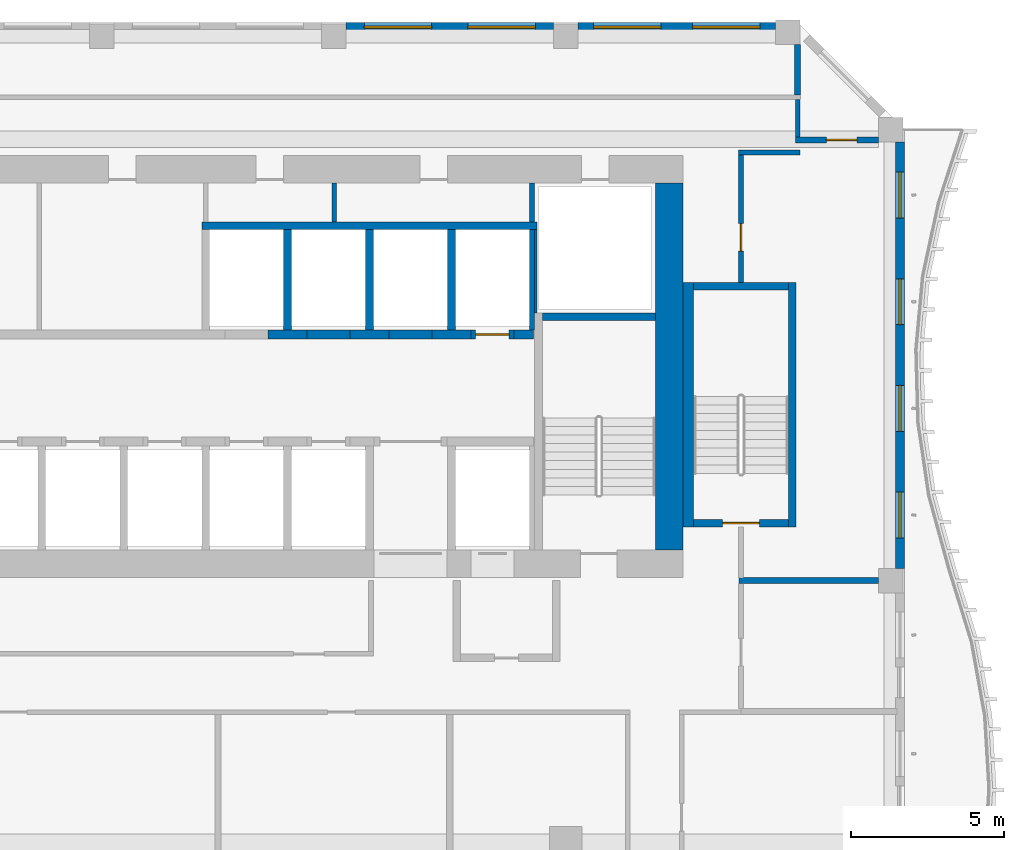
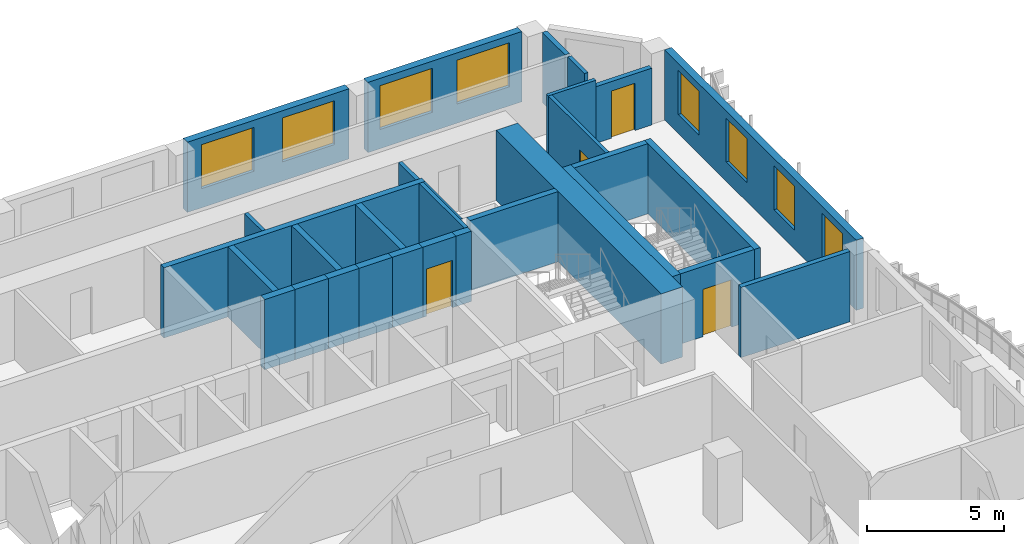
# One storey, part 10 of 23: 30 walls, 8 windows, 4 doors, 12 openings.
"""IFC4 building model written with IfcOpenShell, lengths in metres."""

from ifc_helpers import new_model, si_unit, direction, frame, frame_2d, origin, place, context, subcontext, project, spatial, rectangle, extrude, source, transform, mapped, material, layer, layer_set, type_object, element, fill, save


model = new_model("IFC4")

# Units and contexts
model_context = context("Model", 3, precision=1e-05, world=origin(), true_north=direction((0.0, 1.0)))
body_context = subcontext(model_context, "Body", "Model", "MODEL_VIEW")
ifc_project = project(units=[si_unit("LENGTHUNIT", "METRE"), si_unit("AREAUNIT", "SQUARE_METRE"), si_unit("VOLUMEUNIT", "CUBIC_METRE"), si_unit("PLANEANGLEUNIT", "RADIAN"), si_unit("MASSUNIT", "GRAM", prefix="KILO")], contexts=[model_context])

# Site, building, storey
site_placement = place(None, origin())
site = spatial("IfcSite", under=ifc_project, at=site_placement, CompositionType="ELEMENT")
building_placement = place(site_placement, origin())
building = spatial("IfcBuilding", under=site, at=building_placement, Name="Kilnfold Tower and Market Hall", CompositionType="ELEMENT")
storey_placement = place(building_placement, frame((0.0, 0.0, 178.699951171875)))
storey = spatial("IfcBuildingStorey", under=building, at=storey_placement, Name="L42", CompositionType="ELEMENT", Elevation=178.699951171875)

# Wall
ifc_material_1 = material(Name="Gypsum board on steel studs", Category="steel")
ifc_layer_1 = layer(ifc_material_1, 0.14990234375)
ifc_layer_set_1 = layer_set([ifc_layer_1], Name="Gypsum board on steel studs")
wall_type_1 = type_object("IfcWallType", Name="WALL CORRIDOR 150", PredefinedType="PARTITIONING", material=ifc_layer_set_1)
wall_1_placement = place(storey_placement, frame((19.824951171875, 22.0, 0.0), z_axis=(0.0, 0.0, 1.0), x_axis=(1.0, 0.0, 0.0)))
element("IfcWall", 1, at=wall_1_placement, inside=storey, type_object=wall_type_1, Name="Partition LY27.30", PredefinedType="PARTITIONING", context=body_context, shape_type="SweptSolid", body=[
    extrude(rectangle(XDim=2.0, YDim=0.14990234375, at=frame_2d((1.0, 0.0))), origin(), (0.0, 0.0, 1.0), 3.1201171875),
])

# Wall, opening, door
wall_2_placement = place(storey_placement, frame((19.89990234375, 17.75, 0.0), z_axis=(0.0, 0.0, 1.0), x_axis=(0.0, 1.0, 0.0)))
wall_2 = element("IfcWall", 2, at=wall_2_placement, inside=storey, type_object=wall_type_1, Name="Partition LY27.31", PredefinedType="PARTITIONING", context=body_context, shape_type="SweptSolid", body=[
    extrude(rectangle(XDim=4.175048828125, YDim=0.14990234375, at=frame_2d((2.08740234375, 0.0))), origin(), (0.0, 0.0, 1.0), 3.1201171875),
])
opening_1_placement = place(wall_2_placement, frame((1.02099609375, 0.0, 0.0)))
opening_1 = element("IfcOpeningElement", 3, at=opening_1_placement, cuts=wall_2, Name="Opening D2", PredefinedType="OPENING", context=body_context, shape_type="SweptSolid", body=[
    extrude(rectangle(XDim=0.89990234375, YDim=2.10009765625, at=frame_2d((0.449951171875, 1.050048828125))), frame((0.0, 0.0849609375, 0.0), z_axis=(0.0, -1.0, 0.0), x_axis=(1.0, 0.0, 0.0)), (0.0, 0.0, 1.0), 0.169921875),
])
ifc_material_2 = material(Name="Timber veneer door leaf in steel frame", Category="steel")
door_type_1 = type_object("IfcDoorType", Name="DOOR ROOM 900 X2100", OperationType="NOTDEFINED", PredefinedType="DOOR", material=ifc_material_2)
door_1_placement = place(opening_1_placement, origin())
door_1 = element("IfcDoor", 4, at=door_1_placement, inside=storey, type_object=door_type_1, Name="Door D2", OperationType="SINGLE_SWING_LEFT", OverallHeight=2.10009765625, OverallWidth=0.89990234375, PredefinedType="DOOR", context=body_context, shape_type="SweptSolid", body=[
    extrude(rectangle(XDim=0.89990234375, YDim=2.10009765625, at=frame_2d((0.449951171875, 1.050048828125))), frame((0.0, 0.02490234375, 0.0), z_axis=(0.0, -1.0, 0.0), x_axis=(1.0, 0.0, 0.0)), (0.0, 0.0, 1.0), 0.050048828125),
])
fill(opening_1, door_1)

# Walls
wall_3_placement = place(storey_placement, frame((21.75, 22.5029296875, 0.0), z_axis=(0.0, 0.0, 1.0), x_axis=(0.0, 1.0, 0.0)))
element("IfcWall", 5, at=wall_3_placement, inside=storey, type_object=wall_type_1, Name="Partition LY27.33", PredefinedType="PARTITIONING", context=body_context, shape_type="SweptSolid", body=[
    extrude(rectangle(XDim=1.22216796875, YDim=0.14990234375, at=frame_2d((0.611083984375, 0.0))), origin(), (0.0, 0.0, 1.0), 3.1201171875),
])
ifc_material_3 = material(Name="Gypsum board on steel studs", Category="steel")
ifc_layer_2 = layer(ifc_material_3, 0.199951171875)
ifc_layer_set_2 = layer_set([ifc_layer_2], Name="Gypsum board on steel studs")
wall_type_2 = type_object("IfcWallType", Name="WALL PARTY 200", PredefinedType="PARTITIONING", material=ifc_layer_set_2)
wall_4_placement = place(storey_placement, frame((19.826904296875, 8.0, 0.0), z_axis=(0.0, 0.0, 1.0), x_axis=(1.0, 0.0, 0.0)))
element("IfcWall", 6, at=wall_4_placement, inside=storey, type_object=wall_type_2, Name="Partition LY27.111", PredefinedType="PARTITIONING", context=body_context, shape_type="SweptSolid", body=[
    extrude(rectangle(XDim=4.572998046875, YDim=0.199951171875, at=frame_2d((2.28662109375, 0.0))), origin(), (0.0, 0.0, 1.0), 3.1201171875),
])

# Wall, opening, door
wall_5_placement = place(storey_placement, frame((24.39990234375, 22.4130859375, 0.0), z_axis=(0.0, 0.0, 1.0), x_axis=(-1.0, 0.0, 0.0)))
wall_5 = element("IfcWall", 7, at=wall_5_placement, inside=storey, type_object=wall_type_2, Name="Partition LY27.113", PredefinedType="PARTITIONING", context=body_context, shape_type="SweptSolid", body=[
    extrude(rectangle(XDim=2.722900390625, YDim=0.199951171875, at=frame_2d((1.361328125, 0.0))), origin(), (0.0, 0.0, 1.0), 2.52001953125),
])
opening_2_placement = place(wall_5_placement, frame((0.708984375, 0.0, 0.0)))
opening_2 = element("IfcOpeningElement", 8, at=opening_2_placement, cuts=wall_5, Name="Opening D4", PredefinedType="OPENING", context=body_context, shape_type="SweptSolid", body=[
    extrude(rectangle(XDim=1.0, YDim=2.10009765625, at=frame_2d((0.5, 1.050048828125))), frame((0.0, 0.10986328125, 0.0), z_axis=(0.0, -1.0, 0.0), x_axis=(1.0, 0.0, 0.0)), (0.0, 0.0, 1.0), 0.219970703125),
])
ifc_material_4 = material(Name="Timber veneer door leaf in steel frame", Category="steel")
door_type_2 = type_object("IfcDoorType", Name="DOOR SERVICE 1000 X2100", OperationType="NOTDEFINED", PredefinedType="DOOR", material=ifc_material_4)
door_2_placement = place(opening_2_placement, origin())
door_2 = element("IfcDoor", 9, at=door_2_placement, inside=storey, type_object=door_type_2, Name="Door D4", OperationType="SINGLE_SWING_RIGHT", OverallHeight=2.10009765625, OverallWidth=1.0, PredefinedType="DOOR", context=body_context, shape_type="SweptSolid", body=[
    extrude(rectangle(XDim=1.0, YDim=2.10009765625, at=frame_2d((0.5, 1.050048828125))), frame((0.0, 0.02490234375, 0.0), z_axis=(0.0, -1.0, 0.0), x_axis=(1.0, 0.0, 0.0)), (0.0, 0.0, 1.0), 0.050048828125),
])
fill(opening_2, door_2)

# Walls
wall_6_placement = place(storey_placement, frame((21.75, 25.531982421875, 0.0), z_axis=(0.0, 0.0, 1.0), x_axis=(0.0, -1.0, 0.0)))
element("IfcWall", 10, at=wall_6_placement, inside=storey, type_object=wall_type_2, Name="Partition LY27.114", PredefinedType="PARTITIONING", context=body_context, shape_type="SweptSolid", body=[
    extrude(rectangle(XDim=1.655029296875, YDim=0.199951171875, at=frame_2d((0.82763671875, 0.0))), origin(), (0.0, 0.0, 1.0), 3.1201171875),
])
ifc_material_5 = material(Name="Concrete C70", Category="concrete")
ifc_layer_3 = layer(ifc_material_5, 0.89990234375)
ifc_layer_set_3 = layer_set([ifc_layer_3], Name="Concrete C70")
wall_type_3 = type_object("IfcWallType", Name="CORE WALL 900 C70", PredefinedType="SHEAR", material=ifc_layer_set_3)
shared_shape_1 = source(origin(), body_context, "Body", "SweptSolid", [
    extrude(rectangle(XDim=12.0, YDim=0.89990234375, at=frame_2d((6.0, 0.0))), origin(), (0.0, 0.0, 1.0), 3.1201171875),
])
wall_7_placement = place(storey_placement, frame((17.550048828125, 9.0, 0.0), z_axis=(0.0, 0.0, 1.0), x_axis=(0.0, 1.0, 0.0)))
element("IfcWall", 11, at=wall_7_placement, inside=storey, type_object=wall_type_3, Name="Core outer wall east", PredefinedType="SHEAR", context=body_context, shape_type="MappedRepresentation", body=[
    mapped(shared_shape_1, transform((0.0, 0.0, 0.0))),
])
ifc_material_6 = material(Name="Concrete C70", Category="concrete")
ifc_layer_4 = layer(ifc_material_6, 0.25)
ifc_layer_set_4 = layer_set([ifc_layer_4], Name="Concrete C70")
wall_type_4 = type_object("IfcWallType", Name="CORE WALL 250 C70", PredefinedType="SHEAR", material=ifc_layer_set_4)
shared_shape_2 = source(origin(), body_context, "Body", "SweptSolid", [
    extrude(rectangle(XDim=3.7001953125, YDim=0.25, at=frame_2d((1.85009765625, 0.0))), origin(), (0.0, 0.0, 1.0), 3.1201171875),
])
wall_8_placement = place(storey_placement, frame((13.39990234375, 16.625, 0.0), z_axis=(0.0, 0.0, 1.0), x_axis=(1.0, 0.0, 0.0)))
element("IfcWall", 12, at=wall_8_placement, inside=storey, type_object=wall_type_4, Name="Stair enclosure ST2", PredefinedType="SHEAR", context=body_context, shape_type="MappedRepresentation", body=[
    mapped(shared_shape_2, transform((0.0, 0.0, 0.0))),
])
shared_shape_3 = source(origin(), body_context, "Body", "SweptSolid", [
    extrude(rectangle(XDim=8.0, YDim=0.25, at=frame_2d((4.0, 0.0))), origin(), (0.0, 0.0, 1.0), 3.1201171875),
])
wall_9_placement = place(storey_placement, frame((21.574951171875, 9.75, 0.0), z_axis=(0.0, 0.0, 1.0), x_axis=(0.0, 1.0, 0.0)))
element("IfcWall", 13, at=wall_9_placement, inside=storey, type_object=wall_type_4, Name="Stair enclosure ST5", PredefinedType="SHEAR", context=body_context, shape_type="MappedRepresentation", body=[
    mapped(shared_shape_3, transform((0.0, 0.0, 0.0))),
])
ifc_material_7 = material(Name="Concrete C70", Category="concrete")
ifc_layer_5 = layer(ifc_material_7, 0.35009765625)
ifc_layer_set_5 = layer_set([ifc_layer_5], Name="Concrete C70")
wall_type_5 = type_object("IfcWallType", Name="CORE WALL 350 C70", PredefinedType="SHEAR", material=ifc_layer_set_5)
shared_shape_4 = source(origin(), body_context, "Body", "SweptSolid", [
    extrude(rectangle(XDim=8.0, YDim=0.35009765625, at=frame_2d((4.0, 0.0))), origin(), (0.0, 0.0, 1.0), 3.1201171875),
])
wall_10_placement = place(storey_placement, frame((18.175048828125, 9.75, 0.0), z_axis=(0.0, 0.0, 1.0), x_axis=(0.0, 1.0, 0.0)))
element("IfcWall", 14, at=wall_10_placement, inside=storey, type_object=wall_type_5, Name="Stair enclosure ST5", PredefinedType="SHEAR", context=body_context, shape_type="MappedRepresentation", body=[
    mapped(shared_shape_4, transform((0.0, 0.0, 0.0))),
])

# Wall, opening, door
shared_shape_5 = source(origin(), body_context, "Body", "SweptSolid", [
    extrude(rectangle(XDim=3.099853515625, YDim=0.25, at=frame_2d((1.5498046875, 0.0))), origin(), (0.0, 0.0, 1.0), 3.1201171875),
])
wall_11_placement = place(storey_placement, frame((18.35009765625, 9.875, 0.0), z_axis=(0.0, 0.0, 1.0), x_axis=(1.0, 0.0, 0.0)))
wall_11 = element("IfcWall", 15, at=wall_11_placement, inside=storey, type_object=wall_type_4, Name="Stair enclosure ST5", PredefinedType="SHEAR", context=body_context, shape_type="MappedRepresentation", body=[
    mapped(shared_shape_5, transform((0.0, 0.0, 0.0))),
])
opening_3_placement = place(wall_11_placement, frame((0.949951171875, 0.0, 0.0)))
opening_3 = element("IfcOpeningElement", 16, at=opening_3_placement, cuts=wall_11, Name="Opening SD1", PredefinedType="OPENING", context=body_context, shape_type="SweptSolid", body=[
    extrude(rectangle(XDim=1.199951171875, YDim=2.10009765625, at=frame_2d((0.60009765625, 1.050048828125))), frame((0.0, 0.135009765625, 0.0), z_axis=(0.0, -1.0, 0.0), x_axis=(1.0, 0.0, 0.0)), (0.0, 0.0, 1.0), 0.27001953125),
])
ifc_material_8 = material(Name="Steel door set with fire-resisting leaf", Category="steel")
door_type_3 = type_object("IfcDoorType", Name="STAIR FLOOR DOOR 1200X2100", OperationType="NOTDEFINED", PredefinedType="DOOR", material=ifc_material_8)
door_3_placement = place(opening_3_placement, origin())
door_3 = element("IfcDoor", 17, at=door_3_placement, inside=storey, type_object=door_type_3, Name="Exit stair ST5 door", OperationType="DOUBLE_DOOR_SINGLE_SWING", OverallHeight=2.10009765625, OverallWidth=1.199951171875, PredefinedType="DOOR", context=body_context, shape_type="SweptSolid", body=[
    extrude(rectangle(XDim=1.199951171875, YDim=2.10009765625, at=frame_2d((0.60009765625, 1.050048828125))), frame((0.0, 0.02490234375, 0.0), z_axis=(0.0, -1.0, 0.0), x_axis=(1.0, 0.0, 0.0)), (0.0, 0.0, 1.0), 0.050048828125),
])
fill(opening_3, door_3)

# Walls
wall_12_placement = place(storey_placement, frame((18.35009765625, 17.625, 0.0), z_axis=(0.0, 0.0, 1.0), x_axis=(1.0, 0.0, 0.0)))
element("IfcWall", 18, at=wall_12_placement, inside=storey, type_object=wall_type_4, Name="Stair enclosure ST5", PredefinedType="SHEAR", context=body_context, shape_type="MappedRepresentation", body=[
    mapped(shared_shape_5, transform((0.0, 0.0, 0.0))),
])
ifc_material_9 = material(Name="Concrete C70", Category="concrete")
ifc_layer_6 = layer(ifc_material_9, 0.300048828125)
ifc_layer_set_6 = layer_set([ifc_layer_6], Name="Concrete C70")
wall_type_6 = type_object("IfcWallType", Name="CORE WALL 300 C70", PredefinedType="SHEAR", material=ifc_layer_set_6)
shared_shape_6 = source(origin(), body_context, "Body", "SweptSolid", [
    extrude(rectangle(XDim=1.280029296875, YDim=0.300048828125, at=frame_2d((0.64013671875, 0.0))), origin(), (0.0, 0.0, 1.0), 3.1201171875),
])
for number, where, z_axis, x_axis, name in (
    (19, (4.429931640625, 16.050048828125, 0.0), (0.0, 0.0, 1.0), (1.0, 0.0, 0.0), "Core spine wall"),
    (20, (9.7900390625, 16.050048828125, 0.0), (0.0, 0.0, 1.0), (1.0, 0.0, 0.0), "Core spine wall"),
):
    element("IfcWall", number, at=place(storey_placement, frame(where, z_axis=z_axis, x_axis=x_axis)), inside=storey, type_object=wall_type_6, Name=name, PredefinedType="SHEAR", context=body_context, shape_type="MappedRepresentation", body=[
        mapped(shared_shape_6, transform((0.0, 0.0, 0.0))),
    ])
shared_shape_7 = source(origin(), body_context, "Body", "SweptSolid", [
    extrude(rectangle(XDim=1.27978515625, YDim=0.300048828125, at=frame_2d((0.639892578125, 0.0))), origin(), (0.0, 0.0, 1.0), 3.1201171875),
])
wall_13_placement = place(storey_placement, frame((7.110107421875, 16.050048828125, 0.0), z_axis=(0.0, 0.0, 1.0), x_axis=(1.0, 0.0, 0.0)))
element("IfcWall", 21, at=wall_13_placement, inside=storey, type_object=wall_type_6, Name="Core spine wall", PredefinedType="SHEAR", context=body_context, shape_type="MappedRepresentation", body=[
    mapped(shared_shape_7, transform((0.0, 0.0, 0.0))),
])
shared_shape_8 = source(origin(), body_context, "Body", "SweptSolid", [
    extrude(rectangle(XDim=0.64013671875, YDim=0.300048828125, at=frame_2d((0.320068359375, 0.0))), origin(), (0.0, 0.0, 1.0), 3.1201171875),
])
wall_14_placement = place(storey_placement, frame((12.469970703125, 16.050048828125, 0.0), z_axis=(0.0, 0.0, 1.0), x_axis=(1.0, 0.0, 0.0)))
element("IfcWall", 22, at=wall_14_placement, inside=storey, type_object=wall_type_6, Name="Core spine wall", PredefinedType="SHEAR", context=body_context, shape_type="MappedRepresentation", body=[
    mapped(shared_shape_8, transform((0.0, 0.0, 0.0))),
])

# Wall, openings, windows
ifc_material_10 = material(Name="Precast concrete C50/60", Category="concrete")
ifc_layer_7 = layer(ifc_material_10, 0.300048828125)
ifc_layer_set_7 = layer_set([ifc_layer_7], Name="Precast concrete C50/60")
wall_type_7 = type_object("IfcWallType", Name="PRECAST WALL 300", PredefinedType="SOLIDWALL", material=ifc_layer_set_7)
shared_shape_9 = source(origin(), body_context, "Body", "SweptSolid", [
    extrude(rectangle(XDim=6.783203125, YDim=0.300048828125, at=frame_2d((3.3916015625, 0.0))), origin(), (0.0, 0.0, 1.0), 3.1201171875),
])
wall_15_placement = place(storey_placement, frame((13.7666015625, 26.10009765625, 0.0), z_axis=(0.0, 0.0, 1.0), x_axis=(-1.0, 0.0, 0.0)))
wall_15 = element("IfcWall", 23, at=wall_15_placement, inside=storey, type_object=wall_type_7, Name="External wall L42 N", PredefinedType="SOLIDWALL", context=body_context, shape_type="MappedRepresentation", body=[
    mapped(shared_shape_9, transform((0.0, 0.0, 0.0))),
])
opening_4_placement = place(wall_15_placement, frame((0.595703125, 0.0, 0.85009765625)))
opening_4 = element("IfcOpeningElement", 24, at=opening_4_placement, cuts=wall_15, Name="Opening W2", PredefinedType="OPENING", context=body_context, shape_type="SweptSolid", body=[
    extrude(rectangle(XDim=2.199951171875, YDim=1.949951171875, at=frame_2d((1.10009765625, 0.97509765625))), frame((0.0, 0.16015625, 0.0), z_axis=(0.0, -1.0, 0.0), x_axis=(1.0, 0.0, 0.0)), (0.0, 0.0, 1.0), 0.320068359375),
])
opening_5_placement = place(wall_15_placement, frame((3.987548828125, 0.0, 0.85009765625)))
opening_5 = element("IfcOpeningElement", 25, at=opening_5_placement, cuts=wall_15, Name="Opening W2", PredefinedType="OPENING", context=body_context, shape_type="SweptSolid", body=[
    extrude(rectangle(XDim=2.199951171875, YDim=1.949951171875, at=frame_2d((1.10009765625, 0.97509765625))), frame((0.0, 0.16015625, 0.0), z_axis=(0.0, -1.0, 0.0), x_axis=(1.0, 0.0, 0.0)), (0.0, 0.0, 1.0), 0.320068359375),
])
ifc_material_11 = material(Name="Aluminium frame and double glazing", Category="aluminium")
window_type_1 = type_object("IfcWindowType", Name="WINDOW W2 2200X1950", PartitioningType="SINGLE_PANEL", PredefinedType="WINDOW", material=ifc_material_11)
window_1_placement = place(opening_4_placement, origin())
window_1 = element("IfcWindow", 26, at=window_1_placement, inside=storey, type_object=window_type_1, Name="Window W2 L42 N-1", OverallHeight=1.949951171875, OverallWidth=2.199951171875, PartitioningType="SINGLE_PANEL", PredefinedType="WINDOW", context=body_context, shape_type="SweptSolid", body=[
    extrude(rectangle(XDim=2.199951171875, YDim=1.949951171875, at=frame_2d((1.10009765625, 0.97509765625))), frame((0.0, 0.030029296875, 0.0), z_axis=(0.0, -1.0, 0.0), x_axis=(1.0, 0.0, 0.0)), (0.0, 0.0, 1.0), 0.06005859375),
])
fill(opening_4, window_1)
window_2_placement = place(opening_5_placement, origin())
window_2 = element("IfcWindow", 27, at=window_2_placement, inside=storey, type_object=window_type_1, Name="Window W2 L42 N-2", OverallHeight=1.949951171875, OverallWidth=2.199951171875, PartitioningType="SINGLE_PANEL", PredefinedType="WINDOW", context=body_context, shape_type="SweptSolid", body=[
    extrude(rectangle(XDim=2.199951171875, YDim=1.949951171875, at=frame_2d((1.10009765625, 0.97509765625))), frame((0.0, 0.030029296875, 0.0), z_axis=(0.0, -1.0, 0.0), x_axis=(1.0, 0.0, 0.0)), (0.0, 0.0, 1.0), 0.06005859375),
])
fill(opening_5, window_2)

shared_shape_10 = source(origin(), body_context, "Body", "SweptSolid", [
    extrude(rectangle(XDim=6.465087890625, YDim=0.300048828125, at=frame_2d((3.232421875, 0.0))), origin(), (0.0, 0.0, 1.0), 3.1201171875),
])
wall_16_placement = place(storey_placement, frame((21.03173828125, 26.10009765625, 0.0), z_axis=(0.0, 0.0, 1.0), x_axis=(-1.0, 0.0, 0.0)))
wall_16 = element("IfcWall", 28, at=wall_16_placement, inside=storey, type_object=wall_type_7, Name="External wall L42 N", PredefinedType="SOLIDWALL", context=body_context, shape_type="MappedRepresentation", body=[
    mapped(shared_shape_10, transform((0.0, 0.0, 0.0))),
])
opening_6_placement = place(wall_16_placement, frame((0.51611328125, 0.0, 0.85009765625)))
opening_6 = element("IfcOpeningElement", 29, at=opening_6_placement, cuts=wall_16, Name="Opening W2", PredefinedType="OPENING", context=body_context, shape_type="SweptSolid", body=[
    extrude(rectangle(XDim=2.199951171875, YDim=1.949951171875, at=frame_2d((1.10009765625, 0.97509765625))), frame((0.0, 0.16015625, 0.0), z_axis=(0.0, -1.0, 0.0), x_axis=(1.0, 0.0, 0.0)), (0.0, 0.0, 1.0), 0.320068359375),
])
opening_7_placement = place(wall_16_placement, frame((3.748779296875, 0.0, 0.85009765625)))
opening_7 = element("IfcOpeningElement", 30, at=opening_7_placement, cuts=wall_16, Name="Opening W2", PredefinedType="OPENING", context=body_context, shape_type="SweptSolid", body=[
    extrude(rectangle(XDim=2.199951171875, YDim=1.949951171875, at=frame_2d((1.10009765625, 0.97509765625))), frame((0.0, 0.16015625, 0.0), z_axis=(0.0, -1.0, 0.0), x_axis=(1.0, 0.0, 0.0)), (0.0, 0.0, 1.0), 0.320068359375),
])
window_3_placement = place(opening_6_placement, origin())
window_3 = element("IfcWindow", 31, at=window_3_placement, inside=storey, type_object=window_type_1, Name="Window W2 L42 N-1", OverallHeight=1.949951171875, OverallWidth=2.199951171875, PartitioningType="SINGLE_PANEL", PredefinedType="WINDOW", context=body_context, shape_type="SweptSolid", body=[
    extrude(rectangle(XDim=2.199951171875, YDim=1.949951171875, at=frame_2d((1.10009765625, 0.97509765625))), frame((0.0, 0.030029296875, 0.0), z_axis=(0.0, -1.0, 0.0), x_axis=(1.0, 0.0, 0.0)), (0.0, 0.0, 1.0), 0.06005859375),
])
fill(opening_6, window_3)
window_4_placement = place(opening_7_placement, origin())
window_4 = element("IfcWindow", 32, at=window_4_placement, inside=storey, type_object=window_type_1, Name="Window W2 L42 N-2", OverallHeight=1.949951171875, OverallWidth=2.199951171875, PartitioningType="SINGLE_PANEL", PredefinedType="WINDOW", context=body_context, shape_type="SweptSolid", body=[
    extrude(rectangle(XDim=2.199951171875, YDim=1.949951171875, at=frame_2d((1.10009765625, 0.97509765625))), frame((0.0, 0.030029296875, 0.0), z_axis=(0.0, -1.0, 0.0), x_axis=(1.0, 0.0, 0.0)), (0.0, 0.0, 1.0), 0.06005859375),
])
fill(opening_7, window_4)

shared_shape_11 = source(origin(), body_context, "Body", "SweptSolid", [
    extrude(rectangle(XDim=13.9501953125, YDim=0.300048828125, at=frame_2d((6.97509765625, 0.0))), origin(), (0.0, 0.0, 1.0), 3.1201171875),
])
wall_17_placement = place(storey_placement, frame((25.10009765625, 8.39990234375, 0.0), z_axis=(0.0, 0.0, 1.0), x_axis=(0.0, 1.0, 0.0)))
wall_17 = element("IfcWall", 33, at=wall_17_placement, inside=storey, type_object=wall_type_7, Name="External wall L42 E", PredefinedType="SOLIDWALL", context=body_context, shape_type="MappedRepresentation", body=[
    mapped(shared_shape_11, transform((0.0, 0.0, 0.0))),
])
opening_8_placement = place(wall_17_placement, frame((0.993896484375, 0.0, 0.85009765625)))
opening_8 = element("IfcOpeningElement", 34, at=opening_8_placement, cuts=wall_17, Name="Opening W4", PredefinedType="OPENING", context=body_context, shape_type="SweptSolid", body=[
    extrude(rectangle(XDim=1.5, YDim=1.949951171875, at=frame_2d((0.75, 0.97509765625))), frame((0.0, 0.16015625, 0.0), z_axis=(0.0, -1.0, 0.0), x_axis=(1.0, 0.0, 0.0)), (0.0, 0.0, 1.0), 0.320068359375),
])
opening_9_placement = place(wall_17_placement, frame((4.481201171875, 0.0, 0.85009765625)))
opening_9 = element("IfcOpeningElement", 35, at=opening_9_placement, cuts=wall_17, Name="Opening W4", PredefinedType="OPENING", context=body_context, shape_type="SweptSolid", body=[
    extrude(rectangle(XDim=1.5, YDim=1.949951171875, at=frame_2d((0.75, 0.97509765625))), frame((0.0, 0.16015625, 0.0), z_axis=(0.0, -1.0, 0.0), x_axis=(1.0, 0.0, 0.0)), (0.0, 0.0, 1.0), 0.320068359375),
])
opening_10_placement = place(wall_17_placement, frame((7.96875, 0.0, 0.85009765625)))
opening_10 = element("IfcOpeningElement", 36, at=opening_10_placement, cuts=wall_17, Name="Opening W4", PredefinedType="OPENING", context=body_context, shape_type="SweptSolid", body=[
    extrude(rectangle(XDim=1.5, YDim=1.949951171875, at=frame_2d((0.75, 0.97509765625))), frame((0.0, 0.16015625, 0.0), z_axis=(0.0, -1.0, 0.0), x_axis=(1.0, 0.0, 0.0)), (0.0, 0.0, 1.0), 0.320068359375),
])
opening_11_placement = place(wall_17_placement, frame((11.456298828125, 0.0, 0.85009765625)))
opening_11 = element("IfcOpeningElement", 37, at=opening_11_placement, cuts=wall_17, Name="Opening W4", PredefinedType="OPENING", context=body_context, shape_type="SweptSolid", body=[
    extrude(rectangle(XDim=1.5, YDim=1.949951171875, at=frame_2d((0.75, 0.97509765625))), frame((0.0, 0.16015625, 0.0), z_axis=(0.0, -1.0, 0.0), x_axis=(1.0, 0.0, 0.0)), (0.0, 0.0, 1.0), 0.320068359375),
])
ifc_material_12 = material(Name="Aluminium frame and double glazing", Category="aluminium")
window_type_2 = type_object("IfcWindowType", Name="WINDOW W4 1500X1950", PartitioningType="SINGLE_PANEL", PredefinedType="WINDOW", material=ifc_material_12)
window_5_placement = place(opening_8_placement, origin())
window_5 = element("IfcWindow", 38, at=window_5_placement, inside=storey, type_object=window_type_2, Name="Window W4 L42 E-1", OverallHeight=1.949951171875, OverallWidth=1.5, PartitioningType="SINGLE_PANEL", PredefinedType="WINDOW", context=body_context, shape_type="SweptSolid", body=[
    extrude(rectangle(XDim=1.5, YDim=1.949951171875, at=frame_2d((0.75, 0.97509765625))), frame((0.0, 0.030029296875, 0.0), z_axis=(0.0, -1.0, 0.0), x_axis=(1.0, 0.0, 0.0)), (0.0, 0.0, 1.0), 0.06005859375),
])
fill(opening_8, window_5)
window_6_placement = place(opening_9_placement, origin())
window_6 = element("IfcWindow", 39, at=window_6_placement, inside=storey, type_object=window_type_2, Name="Window W4 L42 E-2", OverallHeight=1.949951171875, OverallWidth=1.5, PartitioningType="SINGLE_PANEL", PredefinedType="WINDOW", context=body_context, shape_type="SweptSolid", body=[
    extrude(rectangle(XDim=1.5, YDim=1.949951171875, at=frame_2d((0.75, 0.97509765625))), frame((0.0, 0.030029296875, 0.0), z_axis=(0.0, -1.0, 0.0), x_axis=(1.0, 0.0, 0.0)), (0.0, 0.0, 1.0), 0.06005859375),
])
fill(opening_9, window_6)
window_7_placement = place(opening_10_placement, origin())
window_7 = element("IfcWindow", 40, at=window_7_placement, inside=storey, type_object=window_type_2, Name="Window W4 L42 E-3", OverallHeight=1.949951171875, OverallWidth=1.5, PartitioningType="SINGLE_PANEL", PredefinedType="WINDOW", context=body_context, shape_type="SweptSolid", body=[
    extrude(rectangle(XDim=1.5, YDim=1.949951171875, at=frame_2d((0.75, 0.97509765625))), frame((0.0, 0.030029296875, 0.0), z_axis=(0.0, -1.0, 0.0), x_axis=(1.0, 0.0, 0.0)), (0.0, 0.0, 1.0), 0.06005859375),
])
fill(opening_10, window_7)
window_8_placement = place(opening_11_placement, origin())
window_8 = element("IfcWindow", 41, at=window_8_placement, inside=storey, type_object=window_type_2, Name="Window W4 L42 E-4", OverallHeight=1.949951171875, OverallWidth=1.5, PartitioningType="SINGLE_PANEL", PredefinedType="WINDOW", context=body_context, shape_type="SweptSolid", body=[
    extrude(rectangle(XDim=1.5, YDim=1.949951171875, at=frame_2d((0.75, 0.97509765625))), frame((0.0, 0.030029296875, 0.0), z_axis=(0.0, -1.0, 0.0), x_axis=(1.0, 0.0, 0.0)), (0.0, 0.0, 1.0), 0.06005859375),
])
fill(opening_11, window_8)

# Wall, opening, door
ifc_material_13 = material(Name="Gypsum shaft wall system")
ifc_layer_8 = layer(ifc_material_13, 0.300048828125)
ifc_layer_set_8 = layer_set([ifc_layer_8], Name="Gypsum shaft wall system")
wall_type_8 = type_object("IfcWallType", Name="SHAFT WALL 300", PredefinedType="PARTITIONING", material=ifc_layer_set_8)
shared_shape_12 = source(origin(), body_context, "Body", "SweptSolid", [
    extrude(rectangle(XDim=1.39990234375, YDim=0.300048828125, at=frame_2d((0.699951171875, 0.0))), origin(), (0.0, 0.0, 1.0), 3.1201171875),
])
wall_18_placement = place(storey_placement, frame((11.070068359375, 16.050048828125, 0.0), z_axis=(0.0, 0.0, 1.0), x_axis=(1.0, 0.0, 0.0)))
wall_18 = element("IfcWall", 42, at=wall_18_placement, inside=storey, type_object=wall_type_8, Name="Lift shaft front wall", PredefinedType="PARTITIONING", context=body_context, shape_type="MappedRepresentation", body=[
    mapped(shared_shape_12, transform((0.0, 0.0, 0.0))),
])
opening_12_placement = place(wall_18_placement, frame((0.14990234375, 0.0, 0.0)))
opening_12 = element("IfcOpeningElement", 43, at=opening_12_placement, cuts=wall_18, Name="Opening LD2", PredefinedType="OPENING", context=body_context, shape_type="SweptSolid", body=[
    extrude(rectangle(XDim=1.10009765625, YDim=2.10009765625, at=frame_2d((0.550048828125, 1.050048828125))), frame((0.0, 0.16015625, 0.0), z_axis=(0.0, -1.0, 0.0), x_axis=(1.0, 0.0, 0.0)), (0.0, 0.0, 1.0), 0.320068359375),
])
ifc_material_14 = material(Name="Steel door set with fire-resisting leaf", Category="steel")
door_type_4 = type_object("IfcDoorType", Name="LANDING DOOR 1100X2100", OperationType="NOTDEFINED", PredefinedType="DOOR", material=ifc_material_14)
door_4_placement = place(opening_12_placement, origin())
door_4 = element("IfcDoor", 44, at=door_4_placement, inside=storey, type_object=door_type_4, Name="Landing door MR6", OperationType="DOUBLE_DOOR_SLIDING", OverallHeight=2.10009765625, OverallWidth=1.10009765625, PredefinedType="DOOR", context=body_context, shape_type="SweptSolid", body=[
    extrude(rectangle(XDim=1.10009765625, YDim=2.10009765625, at=frame_2d((0.550048828125, 1.050048828125))), frame((0.0, 0.02490234375, 0.0), z_axis=(0.0, -1.0, 0.0), x_axis=(1.0, 0.0, 0.0)), (0.0, 0.0, 1.0), 0.050048828125),
])
fill(opening_12, door_4)

# Walls
shared_shape_13 = source(origin(), body_context, "Body", "SweptSolid", [
    extrude(rectangle(XDim=1.400146484375, YDim=0.300048828125, at=frame_2d((0.7001953125, 0.0))), origin(), (0.0, 0.0, 1.0), 3.1201171875),
])
for number, where, z_axis, x_axis, name in (
    (45, (5.7099609375, 16.050048828125, 0.0), (0.0, 0.0, 1.0), (1.0, 0.0, 0.0), "Lift shaft front wall"),
    (46, (8.389892578125, 16.050048828125, 0.0), (0.0, 0.0, 1.0), (1.0, 0.0, 0.0), "Lift shaft front wall"),
):
    element("IfcWall", number, at=place(storey_placement, frame(where, z_axis=z_axis, x_axis=x_axis)), inside=storey, type_object=wall_type_8, Name=name, PredefinedType="PARTITIONING", context=body_context, shape_type="MappedRepresentation", body=[
        mapped(shared_shape_13, transform((0.0, 0.0, 0.0))),
    ])
ifc_material_15 = material(Name="Gypsum shaft wall system")
ifc_layer_9 = layer(ifc_material_15, 0.1650390625)
ifc_layer_set_9 = layer_set([ifc_layer_9], Name="Gypsum shaft wall system")
wall_type_9 = type_object("IfcWallType", Name="SHAFT WALL 165", PredefinedType="PARTITIONING", material=ifc_layer_set_9)
shared_shape_14 = source(origin(), body_context, "Body", "SweptSolid", [
    extrude(rectangle(XDim=3.275146484375, YDim=0.1650390625, at=frame_2d((1.6376953125, 0.0))), origin(), (0.0, 0.0, 1.0), 3.1201171875),
])
wall_19_placement = place(storey_placement, frame((13.0673828125, 16.199951171875, 0.0), z_axis=(0.0, 0.0, 1.0), x_axis=(0.0, 1.0, 0.0)))
element("IfcWall", 47, at=wall_19_placement, inside=storey, type_object=wall_type_9, Name="Lift shaft wall", PredefinedType="PARTITIONING", context=body_context, shape_type="MappedRepresentation", body=[
    mapped(shared_shape_14, transform((0.0, 0.0, 0.0))),
])
shared_shape_15 = source(origin(), body_context, "Body", "SweptSolid", [
    extrude(rectangle(XDim=1.27490234375, YDim=0.1650390625, at=frame_2d((0.637451171875, 0.0))), origin(), (0.0, 0.0, 1.0), 3.1201171875),
])
wall_20_placement = place(storey_placement, frame((13.0673828125, 19.72509765625, 0.0), z_axis=(0.0, 0.0, 1.0), x_axis=(0.0, 1.0, 0.0)))
element("IfcWall", 48, at=wall_20_placement, inside=storey, type_object=wall_type_9, Name="Lift shaft wall", PredefinedType="PARTITIONING", context=body_context, shape_type="MappedRepresentation", body=[
    mapped(shared_shape_15, transform((0.0, 0.0, 0.0))),
])
ifc_material_16 = material(Name="Gypsum shaft wall system")
ifc_layer_10 = layer(ifc_material_16, 0.25)
ifc_layer_set_10 = layer_set([ifc_layer_10], Name="Gypsum shaft wall system")
wall_type_10 = type_object("IfcWallType", Name="SHAFT WALL 250", PredefinedType="PARTITIONING", material=ifc_layer_set_10)
shared_shape_16 = source(origin(), body_context, "Body", "SweptSolid", [
    extrude(rectangle(XDim=3.275146484375, YDim=0.25, at=frame_2d((1.6376953125, 0.0))), origin(), (0.0, 0.0, 1.0), 3.1201171875),
])
for number, where, z_axis, x_axis, name in (
    (49, (10.429931640625, 16.199951171875, 0.0), (0.0, 0.0, 1.0), (0.0, 1.0, 0.0), "Lift shaft wall"),
    (50, (5.070068359375, 16.199951171875, 0.0), (0.0, 0.0, 1.0), (0.0, 1.0, 0.0), "Lift shaft wall"),
    (51, (7.75, 16.199951171875, 0.0), (0.0, 0.0, 1.0), (0.0, 1.0, 0.0), "Lift shaft wall"),
):
    element("IfcWall", number, at=place(storey_placement, frame(where, z_axis=z_axis, x_axis=x_axis)), inside=storey, type_object=wall_type_10, Name=name, PredefinedType="PARTITIONING", context=body_context, shape_type="MappedRepresentation", body=[
        mapped(shared_shape_16, transform((0.0, 0.0, 0.0))),
    ])
ifc_material_17 = material(Name="Gypsum shaft wall system")
ifc_layer_11 = layer(ifc_material_17, 0.0849609375)
ifc_layer_set_11 = layer_set([ifc_layer_11], Name="Gypsum shaft wall system")
wall_type_11 = type_object("IfcWallType", Name="SHAFT WALL 85", PredefinedType="PARTITIONING", material=ifc_layer_set_11)
shared_shape_17 = source(origin(), body_context, "Body", "SweptSolid", [
    extrude(rectangle(XDim=2.72509765625, YDim=0.0849609375, at=frame_2d((1.362548828125, 0.0))), origin(), (0.0, 0.0, 1.0), 3.1201171875),
])
wall_21_placement = place(storey_placement, frame((13.1923828125, 16.75, 0.0), z_axis=(0.0, 0.0, 1.0), x_axis=(0.0, 1.0, 0.0)))
element("IfcWall", 52, at=wall_21_placement, inside=storey, type_object=wall_type_11, Name="Lift shaft wall", PredefinedType="PARTITIONING", context=body_context, shape_type="MappedRepresentation", body=[
    mapped(shared_shape_17, transform((0.0, 0.0, 0.0))),
])
ifc_material_18 = material(Name="Gypsum shaft wall system")
ifc_layer_12 = layer(ifc_material_18, 0.14990234375)
ifc_layer_set_12 = layer_set([ifc_layer_12], Name="Gypsum shaft wall system")
wall_type_12 = type_object("IfcWallType", Name="ROOM WALL 150", PredefinedType="PARTITIONING", material=ifc_layer_set_12)
shared_shape_18 = source(origin(), body_context, "Body", "SweptSolid", [
    extrude(rectangle(XDim=1.27490234375, YDim=0.14990234375, at=frame_2d((0.637451171875, 0.0))), origin(), (0.0, 0.0, 1.0), 3.1201171875),
])
wall_22_placement = place(storey_placement, frame((6.59765625, 19.72509765625, 0.0), z_axis=(0.0, 0.0, 1.0), x_axis=(0.0, 1.0, 0.0)))
element("IfcWall", 53, at=wall_22_placement, inside=storey, type_object=wall_type_12, Name="Core room wall", PredefinedType="PARTITIONING", context=body_context, shape_type="MappedRepresentation", body=[
    mapped(shared_shape_18, transform((0.0, 0.0, 0.0))),
])
shared_shape_19 = source(origin(), body_context, "Body", "SweptSolid", [
    extrude(rectangle(XDim=10.97021484375, YDim=0.25, at=frame_2d((5.485107421875, 0.0))), origin(), (0.0, 0.0, 1.0), 3.1201171875),
])
wall_23_placement = place(storey_placement, frame((2.264892578125, 19.60009765625, 0.0), z_axis=(0.0, 0.0, 1.0), x_axis=(1.0, 0.0, 0.0)))
element("IfcWall", 54, at=wall_23_placement, inside=storey, type_object=wall_type_10, Name="Lift shaft wall", PredefinedType="PARTITIONING", context=body_context, shape_type="MappedRepresentation", body=[
    mapped(shared_shape_19, transform((0.0, 0.0, 0.0))),
])

save(model, "model.ifc")
